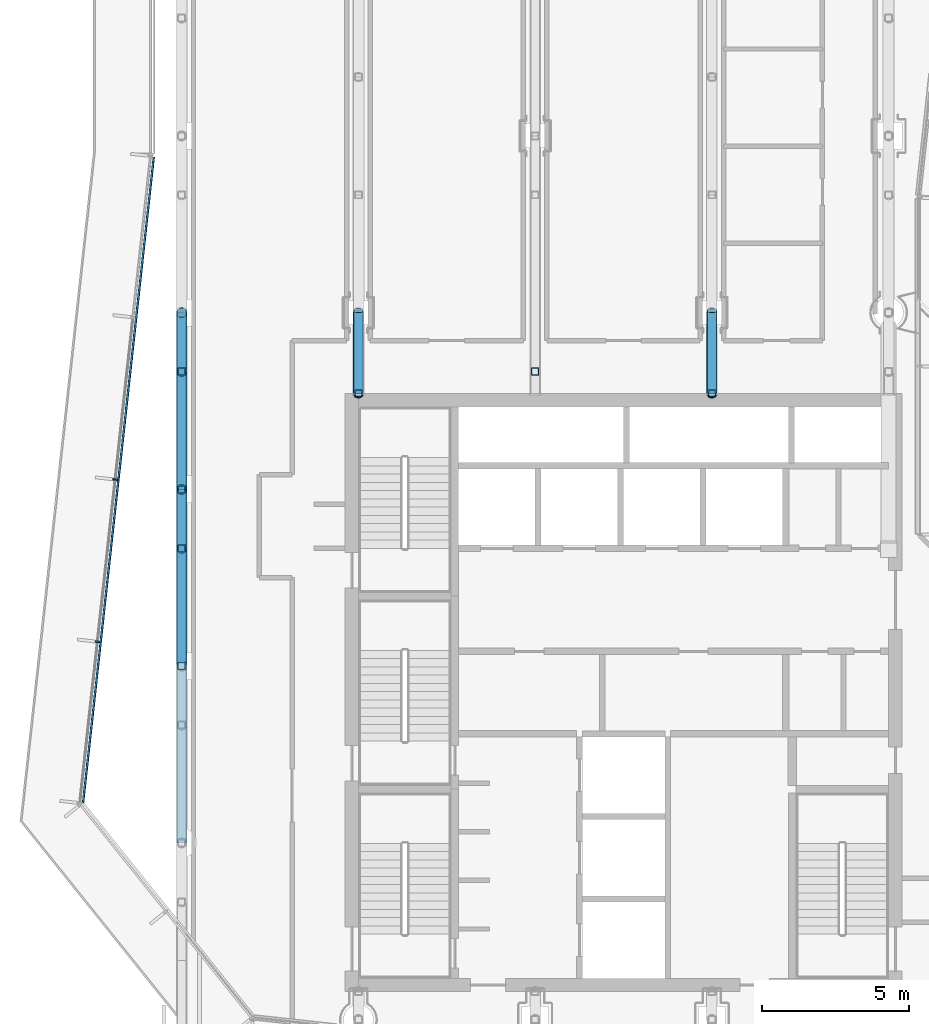
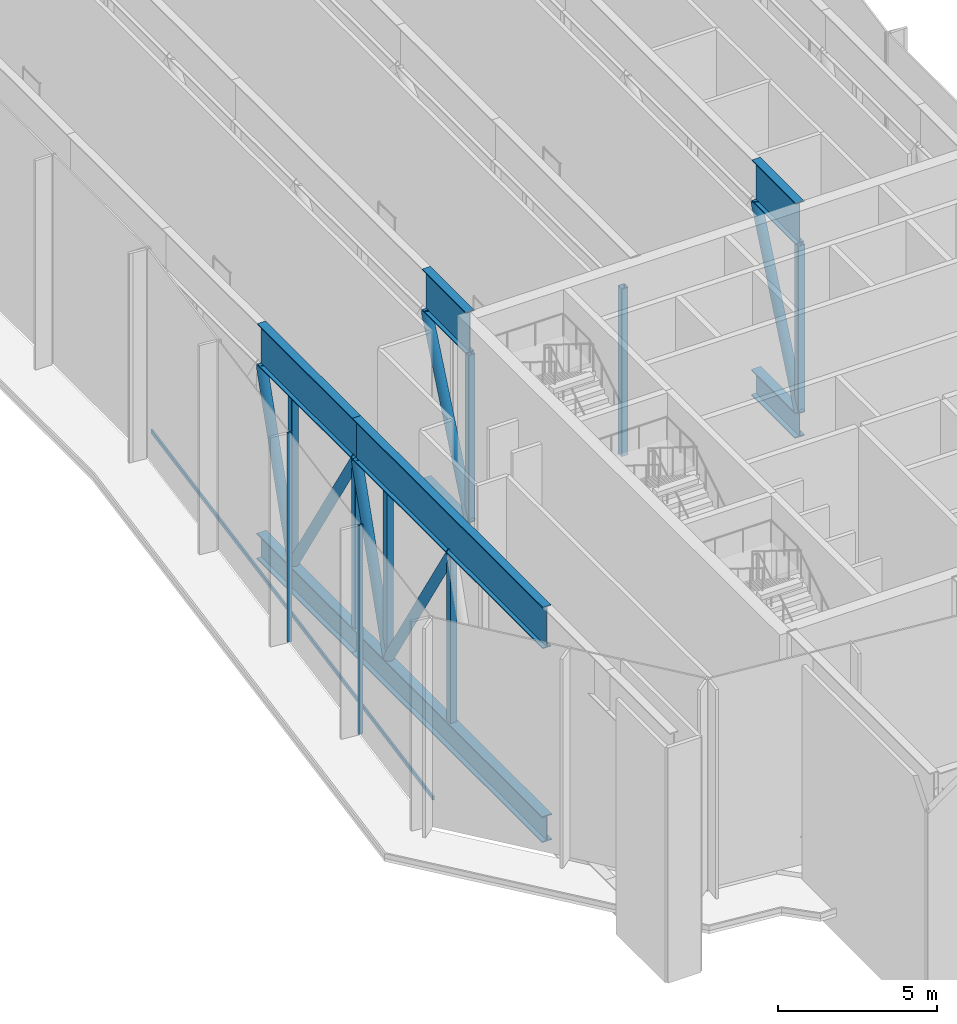
# One storey, part 3 of 21: 24 members, 1 element without a shape of its own.
"""IFC4 building model written with IfcOpenShell, lengths in metres."""

from ifc_helpers import new_model, si_unit, direction, frame, origin, origin_2d, place, context, subcontext, project, spatial, rectangle, hollow_rectangle, hollow_circle, i_section, extrude, material, layer, layer_set, material_profile, profile_set, type_object, element, aggregate, save


model = new_model("IFC4")

# Units and contexts
model_context = context("Model", 3, precision=1e-05, world=origin(), true_north=direction((0.0, 1.0)))
body_context = subcontext(model_context, "Body", "Model", "MODEL_VIEW")
ifc_project = project(units=[si_unit("LENGTHUNIT", "METRE"), si_unit("AREAUNIT", "SQUARE_METRE"), si_unit("VOLUMEUNIT", "CUBIC_METRE"), si_unit("PLANEANGLEUNIT", "RADIAN"), si_unit("MASSUNIT", "GRAM", prefix="KILO")], contexts=[model_context])

# Site, building, storey
site_placement = place(None, origin())
site = spatial("IfcSite", under=ifc_project, at=site_placement, CompositionType="ELEMENT")
building_placement = place(site_placement, origin())
building = spatial("IfcBuilding", under=site, at=building_placement, Name="Welwitschia Terrace Campus", CompositionType="ELEMENT")
storey_placement = place(building_placement, frame((0.0, 0.0, 255.800048828125)))
storey = spatial("IfcBuildingStorey", under=building, at=storey_placement, Name="L57", CompositionType="ELEMENT", Elevation=255.800048828125)

# Curtain wall, members
ifc_material_1 = material(Name="Bronze anodised aluminium", Category="aluminium")
ifc_layer = layer(ifc_material_1, 0.159912109375)
ifc_layer_set = layer_set([ifc_layer], Name="Bronze anodised aluminium")
curtain_wall_type = type_object("IfcCurtainWallType", Name="Curtain wall CW3 commons 6000", PredefinedType="NOTDEFINED", material=ifc_layer_set)
curtain_wall_placement = place(storey_placement, origin())
curtain_wall = element("IfcCurtainWall", 1, at=curtain_wall_placement, inside=storey, type_object=curtain_wall_type, Name="CW L57.8.0", PredefinedType="NOTDEFINED")
ifc_material_2 = material(Name="Bronze anodised aluminium", Category="aluminium")
ifc_material_profile_1 = material_profile(ifc_material_2, rectangle(XDim=0.159912109375, YDim=0.06005859375, at=origin_2d()))
ifc_profile_set_1 = profile_set([ifc_material_profile_1], Name="Bronze anodised aluminium")
member_type_1 = type_object("IfcMemberType", Name="Mullion 60x160", PredefinedType="MULLION", material=ifc_profile_set_1)
member_1_placement = place(storey_placement, frame((-2.256103515625, 22.333251953125, 0.0), z_axis=(0.0, 0.0, 1.0), x_axis=(0.994056338222, -0.108866874852, 0.0)))
member_1 = element("IfcMember", 2, at=member_1_placement, type_object=member_type_1, Name="Mullion L57.8.0.2", PredefinedType="MULLION", context=body_context, shape_type="SweptSolid", body=[
    extrude(rectangle(XDim=0.159912109375, YDim=0.06005859375, at=origin_2d()), origin(), (0.0, 0.0, 1.0), 8.050048828125),
])
member_2_placement = place(storey_placement, frame((-2.859130859375, 16.826904296875, 0.0), z_axis=(0.0, 0.0, 1.0), x_axis=(0.994056338222, -0.108866874852, 0.0)))
member_2 = element("IfcMember", 3, at=member_2_placement, type_object=member_type_1, Name="Mullion L57.8.0.3", PredefinedType="MULLION", context=body_context, shape_type="SweptSolid", body=[
    extrude(rectangle(XDim=0.159912109375, YDim=0.06005859375, at=origin_2d()), origin(), (0.0, 0.0, 1.0), 8.050048828125),
])

# Members
ifc_material_3 = material(Name="Steel S355", Category="steel")
ifc_material_profile_2 = material_profile(ifc_material_3, i_section(OverallWidth=0.35009765625, OverallDepth=1.0, WebThickness=0.02490234375, FlangeThickness=0.0400390625, at=origin_2d()))
ifc_profile_set_2 = profile_set([ifc_material_profile_2], Name="Steel S355")
member_type_2 = type_object("IfcMemberType", Name="Transfer truss C4 bottom chord WI 1000x350x25x40", PredefinedType="CHORD", material=ifc_profile_set_2)
member_3_placement = place(storey_placement, frame((0.0, 10.0, -0.5), z_axis=(0.0, 1.0, 0.0), x_axis=(-1.0, 0.0, 0.0)))
element("IfcMember", 4, at=member_3_placement, inside=storey, type_object=member_type_2, Name="Truss bottom chord", PredefinedType="CHORD", context=body_context, shape_type="SweptSolid", body=[
    extrude(i_section(OverallWidth=0.35009765625, OverallDepth=1.0, WebThickness=0.02490234375, FlangeThickness=0.0400390625, at=origin_2d()), origin(), (0.0, 0.0, 1.0), 12.0),
])
member_4_placement = place(storey_placement, frame((0.0, 22.0, -0.5), z_axis=(0.0, 1.0, 0.0), x_axis=(-1.0, 0.0, 0.0)))
element("IfcMember", 5, at=member_4_placement, inside=storey, type_object=member_type_2, Name="Truss bottom chord", PredefinedType="CHORD", context=body_context, shape_type="SweptSolid", body=[
    extrude(i_section(OverallWidth=0.35009765625, OverallDepth=1.0, WebThickness=0.02490234375, FlangeThickness=0.0400390625, at=origin_2d()), origin(), (0.0, 0.0, 1.0), 6.0),
])
for number, where, z_axis, x_axis, name in (
    (6, (6.0, 25.25, -0.5), (0.0, 1.0, 0.0), (-1.0, 0.0, 0.0), "Truss bottom chord"),
    (7, (18.0, 25.25, -0.5), (0.0, 1.0, 0.0), (-1.0, 0.0, 0.0), "Truss bottom chord"),
):
    element("IfcMember", number, at=place(storey_placement, frame(where, z_axis=z_axis, x_axis=x_axis)), inside=storey, type_object=member_type_2, Name=name, PredefinedType="CHORD", context=body_context, shape_type="SweptSolid", body=[
        extrude(i_section(OverallWidth=0.35009765625, OverallDepth=1.0, WebThickness=0.02490234375, FlangeThickness=0.0400390625, at=origin_2d()), origin(), (0.0, 0.0, 1.0), 2.75),
    ])
ifc_material_4 = material(Name="Steel S355", Category="steel")
ifc_material_profile_3 = material_profile(ifc_material_4, hollow_circle(Radius=0.177734375, WallThickness=0.01611328125, at=origin_2d()))
ifc_profile_set_3 = profile_set([ifc_material_profile_3], Name="Steel S355")
member_type_3 = type_object("IfcMemberType", Name="Transfer truss C4 diagonal CHS 355.6x16", PredefinedType="BRACE", material=ifc_profile_set_3)
member_5_placement = place(storey_placement, frame((0.0, 20.0, 0.0), z_axis=(0.0, -0.527037721004, 0.849841891553), x_axis=(1.0, 0.0, 0.0)))
element("IfcMember", 8, at=member_5_placement, inside=storey, type_object=member_type_3, Name="Truss diagonal", PredefinedType="BRACE", context=body_context, shape_type="SweptSolid", body=[
    extrude(hollow_circle(Radius=0.177734375, WallThickness=0.01611328125, at=origin_2d()), origin(), (0.0, 0.0, 1.0), 7.589599609375),
])
member_6_placement = place(storey_placement, frame((0.0, 20.0, 0.0), z_axis=(0.0, 0.296168365803, 0.955135749042), x_axis=(-1.0, 0.0, 0.0)))
element("IfcMember", 9, at=member_6_placement, inside=storey, type_object=member_type_3, Name="Truss diagonal", PredefinedType="BRACE", context=body_context, shape_type="SweptSolid", body=[
    extrude(hollow_circle(Radius=0.177734375, WallThickness=0.01611328125, at=origin_2d()), origin(), (0.0, 0.0, 1.0), 6.7529296875),
])
member_7_placement = place(storey_placement, frame((0.0, 26.0, 0.0), z_axis=(0.0, -0.527037721004, 0.849841891553), x_axis=(1.0, 0.0, 0.0)))
element("IfcMember", 10, at=member_7_placement, inside=storey, type_object=member_type_3, Name="Truss diagonal", PredefinedType="BRACE", context=body_context, shape_type="SweptSolid", body=[
    extrude(hollow_circle(Radius=0.177734375, WallThickness=0.01611328125, at=origin_2d()), origin(), (0.0, 0.0, 1.0), 7.589599609375),
])
member_8_placement = place(storey_placement, frame((0.0, 26.0, 0.0), z_axis=(0.0, 0.296168365803, 0.955135749042), x_axis=(-1.0, 0.0, 0.0)))
element("IfcMember", 11, at=member_8_placement, inside=storey, type_object=member_type_3, Name="Truss diagonal", PredefinedType="BRACE", context=body_context, shape_type="SweptSolid", body=[
    extrude(hollow_circle(Radius=0.177734375, WallThickness=0.01611328125, at=origin_2d()), origin(), (0.0, 0.0, 1.0), 6.7529296875),
])
for number, where, z_axis, x_axis, name in (
    (12, (6.0, 25.25, 0.0), (0.0, 0.392199877871, 0.919880022502), (-1.0, 0.0, 0.0), "Truss diagonal"),
    (13, (18.0, 25.25, 0.0), (0.0, 0.392199877871, 0.919880022502), (-1.0, 0.0, 0.0), "Truss diagonal"),
):
    element("IfcMember", number, at=place(storey_placement, frame(where, z_axis=z_axis, x_axis=x_axis)), inside=storey, type_object=member_type_3, Name=name, PredefinedType="BRACE", context=body_context, shape_type="SweptSolid", body=[
        extrude(hollow_circle(Radius=0.177734375, WallThickness=0.01611328125, at=origin_2d()), origin(), (0.0, 0.0, 1.0), 7.01171875),
    ])
ifc_material_5 = material(Name="Steel S355", Category="steel")
ifc_material_profile_4 = material_profile(ifc_material_5, hollow_rectangle(XDim=0.25, YDim=0.25, WallThickness=0.013916015625, InnerFilletRadius=0.013916015625, OuterFilletRadius=0.02099609375, at=origin_2d()))
ifc_profile_set_4 = profile_set([ifc_material_profile_4], Name="Steel S355")
member_type_4 = type_object("IfcMemberType", Name="Transfer truss C4 post SHS 250x250x14", PredefinedType="POST", material=ifc_profile_set_4)
for number, where, z_axis, x_axis, name in (
    (14, (0.0, 16.0, 0.0), (0.0, 0.0, 1.0), (1.0, 0.0, 0.0), "Truss post"),
    (15, (0.0, 20.0, 0.0), (0.0, 0.0, 1.0), (1.0, 0.0, 0.0), "Truss post"),
    (16, (0.0, 22.0, 0.0), (0.0, 0.0, 1.0), (1.0, 0.0, 0.0), "Truss post"),
    (17, (0.0, 26.0, 0.0), (0.0, 0.0, 1.0), (1.0, 0.0, 0.0), "Truss post"),
    (18, (6.0, 25.25, 0.0), (0.0, 0.0, 1.0), (1.0, 0.0, 0.0), "Truss post"),
    (19, (12.0, 26.0, 0.0), (0.0, 0.0, 1.0), (1.0, 0.0, 0.0), "Truss post"),
    (20, (18.0, 25.25, 0.0), (0.0, 0.0, 1.0), (1.0, 0.0, 0.0), "Truss post"),
):
    element("IfcMember", number, at=place(storey_placement, frame(where, z_axis=z_axis, x_axis=x_axis)), inside=storey, type_object=member_type_4, Name=name, PredefinedType="POST", context=body_context, shape_type="SweptSolid", body=[
        extrude(hollow_rectangle(XDim=0.25, YDim=0.25, WallThickness=0.013916015625, InnerFilletRadius=0.013916015625, OuterFilletRadius=0.02099609375, at=origin_2d()), origin(), (0.0, 0.0, 1.0), 6.449951171875),
    ])
ifc_material_6 = material(Name="Steel S355", Category="steel")
ifc_material_profile_5 = material_profile(ifc_material_6, i_section(OverallWidth=0.300048828125, OverallDepth=1.60009765625, WebThickness=0.02490234375, FlangeThickness=0.0400390625, at=origin_2d()))
ifc_profile_set_5 = profile_set([ifc_material_profile_5], Name="Steel S355")
member_type_5 = type_object("IfcMemberType", Name="Transfer truss C4 top chord WI 1600x300x25x40", PredefinedType="CHORD", material=ifc_profile_set_5)
member_9_placement = place(storey_placement, frame((0.0, 10.0, 7.25), z_axis=(0.0, 1.0, 0.0), x_axis=(-1.0, 0.0, 0.0)))
element("IfcMember", 21, at=member_9_placement, inside=storey, type_object=member_type_5, Name="Truss top chord", PredefinedType="CHORD", context=body_context, shape_type="SweptSolid", body=[
    extrude(i_section(OverallWidth=0.300048828125, OverallDepth=1.60009765625, WebThickness=0.02490234375, FlangeThickness=0.0400390625, at=origin_2d()), origin(), (0.0, 0.0, 1.0), 12.0),
])
member_10_placement = place(storey_placement, frame((0.0, 22.0, 7.25), z_axis=(0.0, 1.0, 0.0), x_axis=(-1.0, 0.0, 0.0)))
element("IfcMember", 22, at=member_10_placement, inside=storey, type_object=member_type_5, Name="Truss top chord", PredefinedType="CHORD", context=body_context, shape_type="SweptSolid", body=[
    extrude(i_section(OverallWidth=0.300048828125, OverallDepth=1.60009765625, WebThickness=0.02490234375, FlangeThickness=0.0400390625, at=origin_2d()), origin(), (0.0, 0.0, 1.0), 6.0),
])
for number, where, z_axis, x_axis, name in (
    (23, (6.0, 25.25, 7.25), (0.0, 1.0, 0.0), (-1.0, 0.0, 0.0), "Truss top chord"),
    (24, (18.0, 25.25, 7.25), (0.0, 1.0, 0.0), (-1.0, 0.0, 0.0), "Truss top chord"),
):
    element("IfcMember", number, at=place(storey_placement, frame(where, z_axis=z_axis, x_axis=x_axis)), inside=storey, type_object=member_type_5, Name=name, PredefinedType="CHORD", context=body_context, shape_type="SweptSolid", body=[
        extrude(i_section(OverallWidth=0.300048828125, OverallDepth=1.60009765625, WebThickness=0.02490234375, FlangeThickness=0.0400390625, at=origin_2d()), origin(), (0.0, 0.0, 1.0), 2.75),
    ])

# Member
ifc_material_7 = material(Name="Bronze anodised aluminium", Category="aluminium")
ifc_material_profile_6 = material_profile(ifc_material_7, rectangle(XDim=0.06005859375, YDim=0.14990234375, at=origin_2d()))
ifc_profile_set_6 = profile_set([ifc_material_profile_6], Name="Bronze anodised aluminium")
member_type_6 = type_object("IfcMemberType", Name="Transom 60x150", PredefinedType="USERDEFINED", material=ifc_profile_set_6)
member_11_placement = place(storey_placement, frame((-0.947265625, 33.2744140625, 1.0), z_axis=(-0.108857961515, -0.994057314351, 0.0), x_axis=(0.994057314351, -0.108857961515, 0.0)))
member_11 = element("IfcMember", 25, at=member_11_placement, type_object=member_type_6, Name="Transom L57.8.0", ObjectType="TRANSOM", PredefinedType="USERDEFINED", context=body_context, shape_type="SweptSolid", body=[
    extrude(rectangle(XDim=0.06005859375, YDim=0.14990234375, at=origin_2d()), origin(), (0.0, 0.0, 1.0), 22.037109375),
])

aggregate(curtain_wall, [member_1, member_2, member_11])

save(model, "model.ifc")
